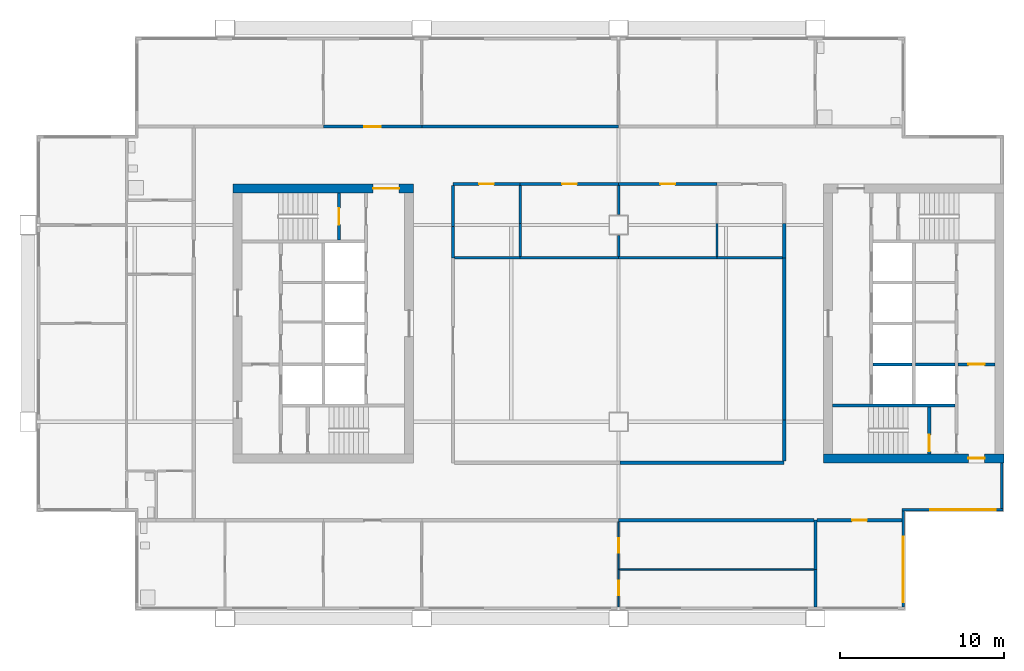
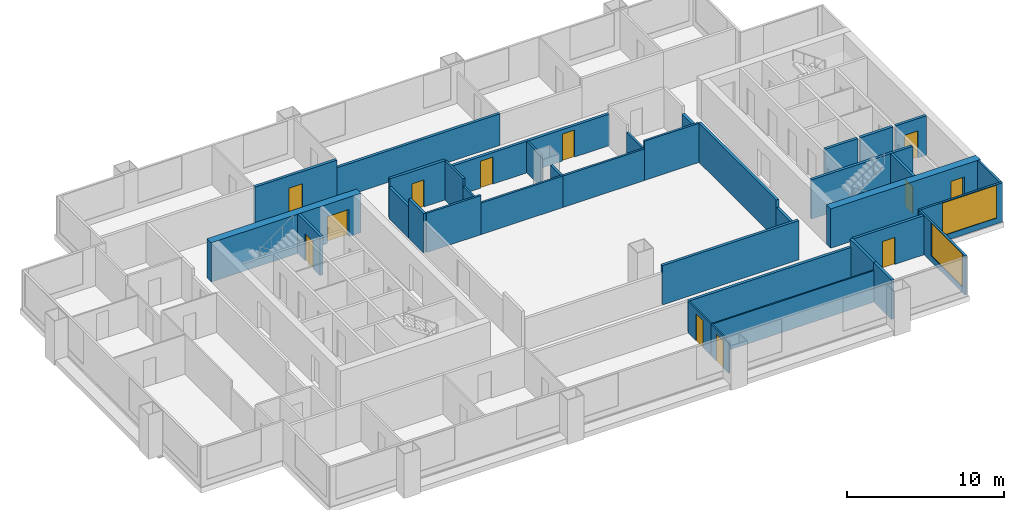
# One storey, part 4 of 8: 38 walls, 12 doors, 2 windows, 14 openings.
"""IFC4 building model written with IfcOpenShell, lengths in metres."""

from ifc_helpers import new_model, si_unit, direction, frame, frame_2d, origin, place, context, subcontext, project, spatial, rectangle, extrude, material, layer, layer_set, type_object, element, fill, save


model = new_model("IFC4")

# Units and contexts
model_context = context("Model", 3, precision=1e-05, world=origin(), true_north=direction((0.0, 1.0)))
body_context = subcontext(model_context, "Body", "Model", "MODEL_VIEW")
ifc_project = project(units=[si_unit("LENGTHUNIT", "METRE"), si_unit("AREAUNIT", "SQUARE_METRE"), si_unit("VOLUMEUNIT", "CUBIC_METRE"), si_unit("PLANEANGLEUNIT", "RADIAN"), si_unit("MASSUNIT", "GRAM", prefix="KILO")], contexts=[model_context])

# Site, building, storey
site_placement = place(None, origin())
site = spatial("IfcSite", under=ifc_project, at=site_placement, CompositionType="ELEMENT")
building_placement = place(site_placement, origin())
building = spatial("IfcBuilding", under=site, at=building_placement, Name="Kitamizu Gate Tower and Museum", CompositionType="ELEMENT")
storey_placement = place(building_placement, frame((0.0, 0.0, 199.64990234375)))
storey = spatial("IfcBuildingStorey", under=building, at=storey_placement, Name="L53", CompositionType="ELEMENT", Elevation=199.64990234375)

# Wall, opening, door
ifc_material_1 = material(Name="Concrete Fc42", Category="concrete")
ifc_layer_1 = layer(ifc_material_1, 0.550048828125)
ifc_layer_set_1 = layer_set([ifc_layer_1], Name="Concrete Fc42")
wall_type_1 = type_object("IfcWallType", Name="Core wall 550", PredefinedType="SHEAR", material=ifc_layer_set_1)
wall_1_placement = place(storey_placement, frame((12.5, 38.22509765625, 0.0), z_axis=(0.0, 0.0, 1.0), x_axis=(1.0, 0.0, 0.0)))
wall_1 = element("IfcWall", 1, at=wall_1_placement, inside=storey, type_object=wall_type_1, Name="Core wall WN", PredefinedType="SHEAR", context=body_context, shape_type="SweptSolid", body=[
    extrude(rectangle(XDim=11.0, YDim=0.550048828125, at=frame_2d((5.5, 0.0))), origin(), (0.0, 0.0, 1.0), 3.050048828125),
])
opening_1_placement = place(wall_1_placement, frame((8.52490234375, 0.0, 0.0)))
opening_1 = element("IfcOpeningElement", 2, at=opening_1_placement, cuts=wall_1, Name="Opening L53-034", PredefinedType="OPENING", context=body_context, shape_type="SweptSolid", body=[
    extrude(rectangle(XDim=1.60009765625, YDim=2.10009765625, at=frame_2d((0.800048828125, 1.050048828125))), frame((0.0, 0.28515625, 0.0), z_axis=(0.0, -1.0, 0.0), x_axis=(1.0, 0.0, 0.0)), (0.0, 0.0, 1.0), 0.570068359375),
])
ifc_material_2 = material(Name="Timber door set", Category="wood")
door_type_1 = type_object("IfcDoorType", Name="Entrance door 1600", OperationType="DOUBLE_DOOR_SINGLE_SWING", PredefinedType="DOOR", material=ifc_material_2)
door_1_placement = place(opening_1_placement, origin())
door_1 = element("IfcDoor", 3, at=door_1_placement, inside=storey, type_object=door_type_1, Name="Lobby door L53-034", OperationType="DOUBLE_DOOR_SINGLE_SWING", OverallHeight=2.10009765625, OverallWidth=1.60009765625, PredefinedType="DOOR", context=body_context, shape_type="SweptSolid", body=[
    extrude(rectangle(XDim=1.60009765625, YDim=2.10009765625, at=frame_2d((0.800048828125, 1.050048828125))), frame((0.0, 0.02490234375, 0.0), z_axis=(0.0, -1.0, 0.0), x_axis=(1.0, 0.0, 0.0)), (0.0, 0.0, 1.0), 0.050048828125),
])
fill(opening_1, door_1)

wall_2_placement = place(storey_placement, frame((59.5, 21.77490234375, 0.0), z_axis=(0.0, 0.0, 1.0), x_axis=(-1.0, 0.0, 0.0)))
wall_2 = element("IfcWall", 4, at=wall_2_placement, inside=storey, type_object=wall_type_1, Name="Core wall ES", PredefinedType="SHEAR", context=body_context, shape_type="SweptSolid", body=[
    extrude(rectangle(XDim=11.0, YDim=0.550048828125, at=frame_2d((5.5, 0.0))), origin(), (0.0, 0.0, 1.0), 3.050048828125),
])
opening_2_placement = place(wall_2_placement, frame((1.175048828125, 0.0, 0.0)))
opening_2 = element("IfcOpeningElement", 5, at=opening_2_placement, cuts=wall_2, Name="Opening L53-044", PredefinedType="OPENING", context=body_context, shape_type="SweptSolid", body=[
    extrude(rectangle(XDim=1.0, YDim=2.10009765625, at=frame_2d((0.5, 1.050048828125))), frame((0.0, 0.28515625, 0.0), z_axis=(0.0, -1.0, 0.0), x_axis=(1.0, 0.0, 0.0)), (0.0, 0.0, 1.0), 0.570068359375),
])
ifc_material_3 = material(Name="Hollow metal door set")
door_type_2 = type_object("IfcDoorType", Name="Fire door 1000", OperationType="NOTDEFINED", PredefinedType="DOOR", material=ifc_material_3)
door_2_placement = place(opening_2_placement, frame((1.0, 0.0, 0.0), x_axis=(-1.0, 0.0, 0.0)))
door_2 = element("IfcDoor", 6, at=door_2_placement, inside=storey, type_object=door_type_2, Name="Fire-fighting lobby door L53-044", OperationType="SINGLE_SWING_RIGHT", OverallHeight=2.10009765625, OverallWidth=1.0, PredefinedType="DOOR", context=body_context, shape_type="SweptSolid", body=[
    extrude(rectangle(XDim=1.0, YDim=2.10009765625, at=frame_2d((0.5, 1.050048828125))), frame((0.0, 0.02490234375, 0.0), z_axis=(0.0, -1.0, 0.0), x_axis=(1.0, 0.0, 0.0)), (0.0, 0.0, 1.0), 0.050048828125),
])
fill(opening_2, door_2)

ifc_material_4 = material(Name="Gypsum board on galvanised stud")
ifc_layer_2 = layer(ifc_material_4, 0.10009765625)
ifc_layer_set_2 = layer_set([ifc_layer_2], Name="Gypsum board on galvanised stud")
wall_type_2 = type_object("IfcWallType", Name="Partition 100 NOT RATED", PredefinedType="PARTITIONING", material=ifc_layer_set_2)
wall_3_placement = place(storey_placement, frame((36.0, 12.719970703125, 0.0), z_axis=(0.0, 0.0, 1.0), x_axis=(0.0, 1.0, 0.0)))
wall_3 = element("IfcWall", 7, at=wall_3_placement, inside=storey, type_object=wall_type_2, Name="Partition L53-009", PredefinedType="PARTITIONING", context=body_context, shape_type="SweptSolid", body=[
    extrude(rectangle(XDim=2.280029296875, YDim=0.10009765625, at=frame_2d((1.14013671875, 0.0))), origin(), (0.0, 0.0, 1.0), 2.4501953125),
])
opening_3_placement = place(wall_3_placement, frame((0.68994140625, 0.0, 0.0)))
opening_3 = element("IfcOpeningElement", 8, at=opening_3_placement, cuts=wall_3, Name="Opening L53-003", PredefinedType="OPENING", context=body_context, shape_type="SweptSolid", body=[
    extrude(rectangle(XDim=0.89990234375, YDim=2.10009765625, at=frame_2d((0.449951171875, 1.050048828125))), frame((0.0, 0.06005859375, 0.0), z_axis=(0.0, -1.0, 0.0), x_axis=(1.0, 0.0, 0.0)), (0.0, 0.0, 1.0), 0.1201171875),
])
ifc_material_5 = material(Name="Timber door set", Category="wood")
door_type_3 = type_object("IfcDoorType", Name="Room door 900", OperationType="NOTDEFINED", PredefinedType="DOOR", material=ifc_material_5)
door_3_placement = place(opening_3_placement, frame((0.89990234375, 0.0, 0.0), x_axis=(-1.0, 0.0, 0.0)))
door_3 = element("IfcDoor", 9, at=door_3_placement, inside=storey, type_object=door_type_3, Name="Door L53-003", OperationType="SINGLE_SWING_LEFT", OverallHeight=2.10009765625, OverallWidth=0.89990234375, PredefinedType="DOOR", context=body_context, shape_type="SweptSolid", body=[
    extrude(rectangle(XDim=0.89990234375, YDim=2.10009765625, at=frame_2d((0.449951171875, 1.050048828125))), frame((0.0, 0.02490234375, 0.0), z_axis=(0.0, -1.0, 0.0), x_axis=(1.0, 0.0, 0.0)), (0.0, 0.0, 1.0), 0.050048828125),
])
fill(opening_3, door_3)

wall_4_placement = place(storey_placement, frame((36.0, 15.0, 0.0), z_axis=(0.0, 0.0, 1.0), x_axis=(0.0, 1.0, 0.0)))
wall_4 = element("IfcWall", 10, at=wall_4_placement, inside=storey, type_object=wall_type_2, Name="Partition L53-010", PredefinedType="PARTITIONING", context=body_context, shape_type="SweptSolid", body=[
    extrude(rectangle(XDim=2.89990234375, YDim=0.10009765625, at=frame_2d((1.449951171875, 0.0))), origin(), (0.0, 0.0, 1.0), 2.4501953125),
])
opening_4_placement = place(wall_4_placement, frame((1.0, 0.0, 0.0)))
opening_4 = element("IfcOpeningElement", 11, at=opening_4_placement, cuts=wall_4, Name="Opening L53-004", PredefinedType="OPENING", context=body_context, shape_type="SweptSolid", body=[
    extrude(rectangle(XDim=0.89990234375, YDim=2.10009765625, at=frame_2d((0.449951171875, 1.050048828125))), frame((0.0, 0.06005859375, 0.0), z_axis=(0.0, -1.0, 0.0), x_axis=(1.0, 0.0, 0.0)), (0.0, 0.0, 1.0), 0.1201171875),
])
door_4_placement = place(opening_4_placement, frame((0.89990234375, 0.0, 0.0), x_axis=(-1.0, 0.0, 0.0)))
door_4 = element("IfcDoor", 12, at=door_4_placement, inside=storey, type_object=door_type_3, Name="Door L53-004", OperationType="SINGLE_SWING_RIGHT", OverallHeight=2.10009765625, OverallWidth=0.89990234375, PredefinedType="DOOR", context=body_context, shape_type="SweptSolid", body=[
    extrude(rectangle(XDim=0.89990234375, YDim=2.10009765625, at=frame_2d((0.449951171875, 1.050048828125))), frame((0.0, 0.02490234375, 0.0), z_axis=(0.0, -1.0, 0.0), x_axis=(1.0, 0.0, 0.0)), (0.0, 0.0, 1.0), 0.050048828125),
])
fill(opening_4, door_4)

# Walls
wall_5_placement = place(storey_placement, frame((47.89990234375, 15.0, 0.0), z_axis=(0.0, 0.0, 1.0), x_axis=(-1.0, 0.0, 0.0)))
element("IfcWall", 13, at=wall_5_placement, inside=storey, type_object=wall_type_2, Name="Partition L53-012", PredefinedType="PARTITIONING", context=body_context, shape_type="SweptSolid", body=[
    extrude(rectangle(XDim=11.849853515625, YDim=0.10009765625, at=frame_2d((5.9248046875, 0.0))), origin(), (0.0, 0.0, 1.0), 2.4501953125),
])
ifc_material_6 = material(Name="Gypsum board on galvanised stud")
ifc_layer_3 = layer(ifc_material_6, 0.14990234375)
ifc_layer_set_3 = layer_set([ifc_layer_3], Name="Gypsum board on galvanised stud")
wall_type_3 = type_object("IfcWallType", Name="Partition 150", PredefinedType="PARTITIONING", material=ifc_layer_set_3)
wall_6_placement = place(storey_placement, frame((30.0, 34.0, 0.0), z_axis=(0.0, 0.0, 1.0), x_axis=(-1.0, 0.0, 0.0)))
element("IfcWall", 14, at=wall_6_placement, inside=storey, type_object=wall_type_3, Name="Partition L53-063", PredefinedType="PARTITIONING", context=body_context, shape_type="SweptSolid", body=[
    extrude(rectangle(XDim=4.0, YDim=0.14990234375, at=frame_2d((2.0, 0.0))), origin(), (0.0, 0.0, 1.0), 3.050048828125),
])
for number, where, z_axis, x_axis, name in (
    (15, (36.0, 34.0, 0.0), (0.0, 0.0, 1.0), (-1.0, 0.0, 0.0), "Partition L53-064"),
    (16, (42.0, 34.0, 0.0), (0.0, 0.0, 1.0), (-1.0, 0.0, 0.0), "Partition L53-065"),
):
    element("IfcWall", number, at=place(storey_placement, frame(where, z_axis=z_axis, x_axis=x_axis)), inside=storey, type_object=wall_type_3, Name=name, PredefinedType="PARTITIONING", context=body_context, shape_type="SweptSolid", body=[
        extrude(rectangle(XDim=6.0, YDim=0.14990234375, at=frame_2d((3.0, 0.0))), origin(), (0.0, 0.0, 1.0), 2.4501953125),
    ])
wall_7_placement = place(storey_placement, frame((46.0, 34.0, 0.0), z_axis=(0.0, 0.0, 1.0), x_axis=(-1.0, 0.0, 0.0)))
element("IfcWall", 17, at=wall_7_placement, inside=storey, type_object=wall_type_3, Name="Partition L53-066", PredefinedType="PARTITIONING", context=body_context, shape_type="SweptSolid", body=[
    extrude(rectangle(XDim=4.0, YDim=0.14990234375, at=frame_2d((2.0, 0.0))), origin(), (0.0, 0.0, 1.0), 3.050048828125),
])
wall_8_placement = place(storey_placement, frame((30.0, 34.074951171875, 0.0), z_axis=(0.0, 0.0, 1.0), x_axis=(0.0, 1.0, 0.0)))
element("IfcWall", 18, at=wall_8_placement, inside=storey, type_object=wall_type_3, Name="Partition L53-067", PredefinedType="PARTITIONING", context=body_context, shape_type="SweptSolid", body=[
    extrude(rectangle(XDim=2.025146484375, YDim=0.14990234375, at=frame_2d((1.0126953125, 0.0))), origin(), (0.0, 0.0, 1.0), 2.4501953125),
])
wall_9_placement = place(storey_placement, frame((30.0, 36.10009765625, 0.0), z_axis=(0.0, 0.0, 1.0), x_axis=(0.0, 1.0, 0.0)))
element("IfcWall", 19, at=wall_9_placement, inside=storey, type_object=wall_type_3, Name="Partition L53-068", PredefinedType="PARTITIONING", context=body_context, shape_type="SweptSolid", body=[
    extrude(rectangle(XDim=2.2998046875, YDim=0.14990234375, at=frame_2d((1.14990234375, 0.0))), origin(), (0.0, 0.0, 1.0), 3.050048828125),
])
wall_10_placement = place(storey_placement, frame((36.0, 34.074951171875, 0.0), z_axis=(0.0, 0.0, 1.0), x_axis=(0.0, 1.0, 0.0)))
element("IfcWall", 20, at=wall_10_placement, inside=storey, type_object=wall_type_3, Name="Partition L53-069", PredefinedType="PARTITIONING", context=body_context, shape_type="SweptSolid", body=[
    extrude(rectangle(XDim=1.275146484375, YDim=0.14990234375, at=frame_2d((0.6376953125, 0.0))), origin(), (0.0, 0.0, 1.0), 2.4501953125),
])
wall_11_placement = place(storey_placement, frame((36.0, 36.64990234375, 0.0), z_axis=(0.0, 0.0, 1.0), x_axis=(0.0, 1.0, 0.0)))
element("IfcWall", 21, at=wall_11_placement, inside=storey, type_object=wall_type_3, Name="Partition L53-070", PredefinedType="PARTITIONING", context=body_context, shape_type="SweptSolid", body=[
    extrude(rectangle(XDim=1.75, YDim=0.14990234375, at=frame_2d((0.875, 0.0))), origin(), (0.0, 0.0, 1.0), 2.4501953125),
])
wall_12_placement = place(storey_placement, frame((42.0, 34.074951171875, 0.0), z_axis=(0.0, 0.0, 1.0), x_axis=(0.0, 1.0, 0.0)))
element("IfcWall", 22, at=wall_12_placement, inside=storey, type_object=wall_type_3, Name="Partition L53-071", PredefinedType="PARTITIONING", context=body_context, shape_type="SweptSolid", body=[
    extrude(rectangle(XDim=2.025146484375, YDim=0.14990234375, at=frame_2d((1.0126953125, 0.0))), origin(), (0.0, 0.0, 1.0), 2.4501953125),
])
ifc_material_7 = material(Name="Gypsum board on galvanised stud")
ifc_layer_4 = layer(ifc_material_7, 0.199951171875)
ifc_layer_set_4 = layer_set([ifc_layer_4], Name="Gypsum board on galvanised stud")
wall_type_4 = type_object("IfcWallType", Name="Partition 200", PredefinedType="PARTITIONING", material=ifc_layer_set_4)
wall_13_placement = place(storey_placement, frame((48.0, 12.719970703125, 0.0), z_axis=(0.0, 0.0, 1.0), x_axis=(0.0, 1.0, 0.0)))
element("IfcWall", 23, at=wall_13_placement, inside=storey, type_object=wall_type_4, Name="Partition L53-013", PredefinedType="PARTITIONING", context=body_context, shape_type="SweptSolid", body=[
    extrude(rectangle(XDim=2.280029296875, YDim=0.199951171875, at=frame_2d((1.14013671875, 0.0))), origin(), (0.0, 0.0, 1.0), 3.050048828125),
])
wall_14_placement = place(storey_placement, frame((48.0, 15.0, 0.0), z_axis=(0.0, 0.0, 1.0), x_axis=(0.0, 1.0, 0.0)))
element("IfcWall", 24, at=wall_14_placement, inside=storey, type_object=wall_type_4, Name="Partition L53-014", PredefinedType="PARTITIONING", context=body_context, shape_type="SweptSolid", body=[
    extrude(rectangle(XDim=3.0, YDim=0.199951171875, at=frame_2d((1.5, 0.0))), origin(), (0.0, 0.0, 1.0), 3.050048828125),
])
wall_15_placement = place(storey_placement, frame((47.89990234375, 18.0, 0.0), z_axis=(0.0, 0.0, 1.0), x_axis=(-1.0, 0.0, 0.0)))
element("IfcWall", 25, at=wall_15_placement, inside=storey, type_object=wall_type_4, Name="Partition L53-015", PredefinedType="PARTITIONING", context=body_context, shape_type="SweptSolid", body=[
    extrude(rectangle(XDim=11.89990234375, YDim=0.199951171875, at=frame_2d((5.949951171875, 0.0))), origin(), (0.0, 0.0, 1.0), 2.4501953125),
])

# Wall, opening, door
wall_16_placement = place(storey_placement, frame((53.280029296875, 18.0, 0.0), z_axis=(0.0, 0.0, 1.0), x_axis=(-1.0, 0.0, 0.0)))
wall_16 = element("IfcWall", 26, at=wall_16_placement, inside=storey, type_object=wall_type_4, Name="Partition L53-016", PredefinedType="PARTITIONING", context=body_context, shape_type="SweptSolid", body=[
    extrude(rectangle(XDim=5.179931640625, YDim=0.199951171875, at=frame_2d((2.58984375, 0.0))), origin(), (0.0, 0.0, 1.0), 3.050048828125),
])
opening_5_placement = place(wall_16_placement, frame((2.139892578125, 0.0, 0.0)))
opening_5 = element("IfcOpeningElement", 27, at=opening_5_placement, cuts=wall_16, Name="Opening L53-021", PredefinedType="OPENING", context=body_context, shape_type="SweptSolid", body=[
    extrude(rectangle(XDim=0.89990234375, YDim=2.10009765625, at=frame_2d((0.449951171875, 1.050048828125))), frame((0.0, 0.10986328125, 0.0), z_axis=(0.0, -1.0, 0.0), x_axis=(1.0, 0.0, 0.0)), (0.0, 0.0, 1.0), 0.219970703125),
])
door_5_placement = place(opening_5_placement, origin())
door_5 = element("IfcDoor", 28, at=door_5_placement, inside=storey, type_object=door_type_3, Name="Door L53-021", OperationType="SINGLE_SWING_RIGHT", OverallHeight=2.10009765625, OverallWidth=0.89990234375, PredefinedType="DOOR", context=body_context, shape_type="SweptSolid", body=[
    extrude(rectangle(XDim=0.89990234375, YDim=2.10009765625, at=frame_2d((0.449951171875, 1.050048828125))), frame((0.0, 0.02490234375, 0.0), z_axis=(0.0, -1.0, 0.0), x_axis=(1.0, 0.0, 0.0)), (0.0, 0.0, 1.0), 0.050048828125),
])
fill(opening_5, door_5)

wall_17_placement = place(storey_placement, frame((18.0, 42.0, 0.0), z_axis=(0.0, 0.0, 1.0), x_axis=(1.0, 0.0, 0.0)))
wall_17 = element("IfcWall", 29, at=wall_17_placement, inside=storey, type_object=wall_type_4, Name="Partition L53-021", PredefinedType="PARTITIONING", context=body_context, shape_type="SweptSolid", body=[
    extrude(rectangle(XDim=6.0, YDim=0.199951171875, at=frame_2d((3.0, 0.0))), origin(), (0.0, 0.0, 1.0), 3.050048828125),
])
opening_6_placement = place(wall_17_placement, frame((2.5, 0.0, 0.0)))
opening_6 = element("IfcOpeningElement", 30, at=opening_6_placement, cuts=wall_17, Name="Opening L53-007", PredefinedType="OPENING", context=body_context, shape_type="SweptSolid", body=[
    extrude(rectangle(XDim=1.0, YDim=2.10009765625, at=frame_2d((0.5, 1.050048828125))), frame((0.0, 0.10986328125, 0.0), z_axis=(0.0, -1.0, 0.0), x_axis=(1.0, 0.0, 0.0)), (0.0, 0.0, 1.0), 0.219970703125),
])
ifc_material_8 = material(Name="Timber door set", Category="wood")
door_type_4 = type_object("IfcDoorType", Name="Flat entrance door 1000", OperationType="NOTDEFINED", PredefinedType="DOOR", material=ifc_material_8)
door_6_placement = place(opening_6_placement, origin())
door_6 = element("IfcDoor", 31, at=door_6_placement, inside=storey, type_object=door_type_4, Name="Flat entrance door L53-007", OperationType="SINGLE_SWING_RIGHT", OverallHeight=2.10009765625, OverallWidth=1.0, PredefinedType="DOOR", context=body_context, shape_type="SweptSolid", body=[
    extrude(rectangle(XDim=1.0, YDim=2.10009765625, at=frame_2d((0.5, 1.050048828125))), frame((0.0, 0.02490234375, 0.0), z_axis=(0.0, -1.0, 0.0), x_axis=(1.0, 0.0, 0.0)), (0.0, 0.0, 1.0), 0.050048828125),
])
fill(opening_6, door_6)

# Walls
wall_18_placement = place(storey_placement, frame((24.0, 42.0, 0.0), z_axis=(0.0, 0.0, 1.0), x_axis=(1.0, 0.0, 0.0)))
element("IfcWall", 32, at=wall_18_placement, inside=storey, type_object=wall_type_4, Name="Partition L53-023", PredefinedType="PARTITIONING", context=body_context, shape_type="SweptSolid", body=[
    extrude(rectangle(XDim=12.0, YDim=0.199951171875, at=frame_2d((6.0, 0.0))), origin(), (0.0, 0.0, 1.0), 2.4501953125),
])
wall_19_placement = place(storey_placement, frame((36.10009765625, 21.5, 0.0), z_axis=(0.0, 0.0, 1.0), x_axis=(1.0, 0.0, 0.0)))
element("IfcWall", 33, at=wall_19_placement, inside=storey, type_object=wall_type_4, Name="Partition L53-052", PredefinedType="PARTITIONING", context=body_context, shape_type="SweptSolid", body=[
    extrude(rectangle(XDim=10.0, YDim=0.199951171875, at=frame_2d((5.0, 0.0))), origin(), (0.0, 0.0, 1.0), 3.050048828125),
])
wall_20_placement = place(storey_placement, frame((46.10009765625, 21.60009765625, 0.0), z_axis=(0.0, 0.0, 1.0), x_axis=(0.0, 1.0, 0.0)))
element("IfcWall", 34, at=wall_20_placement, inside=storey, type_object=wall_type_4, Name="Partition L53-053", PredefinedType="PARTITIONING", context=body_context, shape_type="SweptSolid", body=[
    extrude(rectangle(XDim=2.5, YDim=0.199951171875, at=frame_2d((1.25, 0.0))), origin(), (0.0, 0.0, 1.0), 2.4501953125),
])
wall_21_placement = place(storey_placement, frame((46.10009765625, 24.10009765625, 0.0), z_axis=(0.0, 0.0, 1.0), x_axis=(0.0, 1.0, 0.0)))
element("IfcWall", 35, at=wall_21_placement, inside=storey, type_object=wall_type_4, Name="Partition L53-054", PredefinedType="PARTITIONING", context=body_context, shape_type="SweptSolid", body=[
    extrude(rectangle(XDim=9.89990234375, YDim=0.199951171875, at=frame_2d((4.949951171875, 0.0))), origin(), (0.0, 0.0, 1.0), 3.050048828125),
])

# Wall, opening, door
wall_22_placement = place(storey_placement, frame((30.0, 38.5, 0.0), z_axis=(0.0, 0.0, 1.0), x_axis=(-1.0, 0.0, 0.0)))
wall_22 = element("IfcWall", 36, at=wall_22_placement, inside=storey, type_object=wall_type_4, Name="Partition L53-055", PredefinedType="PARTITIONING", context=body_context, shape_type="SweptSolid", body=[
    extrude(rectangle(XDim=4.10009765625, YDim=0.199951171875, at=frame_2d((2.050048828125, 0.0))), origin(), (0.0, 0.0, 1.0), 3.050048828125),
])
opening_7_placement = place(wall_22_placement, frame((1.60009765625, 0.0, 0.0)))
opening_7 = element("IfcOpeningElement", 37, at=opening_7_placement, cuts=wall_22, Name="Opening L53-023", PredefinedType="OPENING", context=body_context, shape_type="SweptSolid", body=[
    extrude(rectangle(XDim=0.89990234375, YDim=2.10009765625, at=frame_2d((0.449951171875, 1.050048828125))), frame((0.0, 0.10986328125, 0.0), z_axis=(0.0, -1.0, 0.0), x_axis=(1.0, 0.0, 0.0)), (0.0, 0.0, 1.0), 0.219970703125),
])
door_7_placement = place(opening_7_placement, origin())
door_7 = element("IfcDoor", 38, at=door_7_placement, inside=storey, type_object=door_type_3, Name="Door L53-023", OperationType="SINGLE_SWING_LEFT", OverallHeight=2.10009765625, OverallWidth=0.89990234375, PredefinedType="DOOR", context=body_context, shape_type="SweptSolid", body=[
    extrude(rectangle(XDim=0.89990234375, YDim=2.10009765625, at=frame_2d((0.449951171875, 1.050048828125))), frame((0.0, 0.02490234375, 0.0), z_axis=(0.0, -1.0, 0.0), x_axis=(1.0, 0.0, 0.0)), (0.0, 0.0, 1.0), 0.050048828125),
])
fill(opening_7, door_7)

# Walls
wall_23_placement = place(storey_placement, frame((25.89990234375, 38.39990234375, 0.0), z_axis=(0.0, 0.0, 1.0), x_axis=(0.0, -1.0, 0.0)))
element("IfcWall", 39, at=wall_23_placement, inside=storey, type_object=wall_type_4, Name="Partition L53-056", PredefinedType="PARTITIONING", context=body_context, shape_type="SweptSolid", body=[
    extrude(rectangle(XDim=2.5, YDim=0.199951171875, at=frame_2d((1.25, 0.0))), origin(), (0.0, 0.0, 1.0), 2.4501953125),
])
wall_24_placement = place(storey_placement, frame((25.89990234375, 35.89990234375, 0.0), z_axis=(0.0, 0.0, 1.0), x_axis=(0.0, -1.0, 0.0)))
element("IfcWall", 40, at=wall_24_placement, inside=storey, type_object=wall_type_4, Name="Partition L53-057", PredefinedType="PARTITIONING", context=body_context, shape_type="SweptSolid", body=[
    extrude(rectangle(XDim=1.89990234375, YDim=0.199951171875, at=frame_2d((0.949951171875, 0.0))), origin(), (0.0, 0.0, 1.0), 3.050048828125),
])

# Wall, opening, door
wall_25_placement = place(storey_placement, frame((36.0, 38.5, 0.0), z_axis=(0.0, 0.0, 1.0), x_axis=(-1.0, 0.0, 0.0)))
wall_25 = element("IfcWall", 41, at=wall_25_placement, inside=storey, type_object=wall_type_4, Name="Partition L53-058", PredefinedType="PARTITIONING", context=body_context, shape_type="SweptSolid", body=[
    extrude(rectangle(XDim=6.0, YDim=0.199951171875, at=frame_2d((3.0, 0.0))), origin(), (0.0, 0.0, 1.0), 2.4501953125),
])
opening_8_placement = place(wall_25_placement, frame((2.550048828125, 0.0, 0.0)))
opening_8 = element("IfcOpeningElement", 42, at=opening_8_placement, cuts=wall_25, Name="Opening L53-024", PredefinedType="OPENING", context=body_context, shape_type="SweptSolid", body=[
    extrude(rectangle(XDim=0.89990234375, YDim=2.10009765625, at=frame_2d((0.449951171875, 1.050048828125))), frame((0.0, 0.10986328125, 0.0), z_axis=(0.0, -1.0, 0.0), x_axis=(1.0, 0.0, 0.0)), (0.0, 0.0, 1.0), 0.219970703125),
])
door_8_placement = place(opening_8_placement, origin())
door_8 = element("IfcDoor", 43, at=door_8_placement, inside=storey, type_object=door_type_3, Name="Door L53-024", OperationType="SINGLE_SWING_RIGHT", OverallHeight=2.10009765625, OverallWidth=0.89990234375, PredefinedType="DOOR", context=body_context, shape_type="SweptSolid", body=[
    extrude(rectangle(XDim=0.89990234375, YDim=2.10009765625, at=frame_2d((0.449951171875, 1.050048828125))), frame((0.0, 0.02490234375, 0.0), z_axis=(0.0, -1.0, 0.0), x_axis=(1.0, 0.0, 0.0)), (0.0, 0.0, 1.0), 0.050048828125),
])
fill(opening_8, door_8)

wall_26_placement = place(storey_placement, frame((42.0, 38.5, 0.0), z_axis=(0.0, 0.0, 1.0), x_axis=(-1.0, 0.0, 0.0)))
wall_26 = element("IfcWall", 44, at=wall_26_placement, inside=storey, type_object=wall_type_4, Name="Partition L53-059", PredefinedType="PARTITIONING", context=body_context, shape_type="SweptSolid", body=[
    extrude(rectangle(XDim=6.0, YDim=0.199951171875, at=frame_2d((3.0, 0.0))), origin(), (0.0, 0.0, 1.0), 2.4501953125),
])
opening_9_placement = place(wall_26_placement, frame((2.550048828125, 0.0, 0.0)))
opening_9 = element("IfcOpeningElement", 45, at=opening_9_placement, cuts=wall_26, Name="Opening L53-025", PredefinedType="OPENING", context=body_context, shape_type="SweptSolid", body=[
    extrude(rectangle(XDim=0.89990234375, YDim=2.10009765625, at=frame_2d((0.449951171875, 1.050048828125))), frame((0.0, 0.10986328125, 0.0), z_axis=(0.0, -1.0, 0.0), x_axis=(1.0, 0.0, 0.0)), (0.0, 0.0, 1.0), 0.219970703125),
])
door_9_placement = place(opening_9_placement, origin())
door_9 = element("IfcDoor", 46, at=door_9_placement, inside=storey, type_object=door_type_3, Name="Door L53-025", OperationType="SINGLE_SWING_LEFT", OverallHeight=2.10009765625, OverallWidth=0.89990234375, PredefinedType="DOOR", context=body_context, shape_type="SweptSolid", body=[
    extrude(rectangle(XDim=0.89990234375, YDim=2.10009765625, at=frame_2d((0.449951171875, 1.050048828125))), frame((0.0, 0.02490234375, 0.0), z_axis=(0.0, -1.0, 0.0), x_axis=(1.0, 0.0, 0.0)), (0.0, 0.0, 1.0), 0.050048828125),
])
fill(opening_9, door_9)

# Wall
wall_27_placement = place(storey_placement, frame((46.10009765625, 34.0, 0.0), z_axis=(0.0, 0.0, 1.0), x_axis=(0.0, 1.0, 0.0)))
element("IfcWall", 47, at=wall_27_placement, inside=storey, type_object=wall_type_4, Name="Partition L53-060", PredefinedType="PARTITIONING", context=body_context, shape_type="SweptSolid", body=[
    extrude(rectangle(XDim=2.10009765625, YDim=0.199951171875, at=frame_2d((1.050048828125, 0.0))), origin(), (0.0, 0.0, 1.0), 2.4501953125),
])

# Wall, opening, door
ifc_material_9 = material(Name="Concrete Fc42", Category="concrete")
ifc_layer_5 = layer(ifc_material_9, 0.199951171875)
ifc_layer_set_5 = layer_set([ifc_layer_5], Name="Concrete Fc42")
wall_type_5 = type_object("IfcWallType", Name="Shaft wall 200", PredefinedType="SOLIDWALL", material=ifc_layer_set_5)
wall_28_placement = place(storey_placement, frame((18.949951171875, 35.10009765625, 0.0), z_axis=(0.0, 0.0, 1.0), x_axis=(0.0, 1.0, 0.0)))
wall_28 = element("IfcWall", 48, at=wall_28_placement, inside=storey, type_object=wall_type_5, Name="Shaft wall WNZ", PredefinedType="SOLIDWALL", context=body_context, shape_type="SweptSolid", body=[
    extrude(rectangle(XDim=2.849853515625, YDim=0.199951171875, at=frame_2d((1.4248046875, 0.0))), origin(), (0.0, 0.0, 1.0), 3.050048828125),
])
opening_10_placement = place(wall_28_placement, frame((0.925048828125, 0.0, 0.0)))
opening_10 = element("IfcOpeningElement", 49, at=opening_10_placement, cuts=wall_28, Name="Opening L53-030", PredefinedType="OPENING", context=body_context, shape_type="SweptSolid", body=[
    extrude(rectangle(XDim=1.0, YDim=2.10009765625, at=frame_2d((0.5, 1.050048828125))), frame((0.0, 0.10986328125, 0.0), z_axis=(0.0, -1.0, 0.0), x_axis=(1.0, 0.0, 0.0)), (0.0, 0.0, 1.0), 0.219970703125),
])
door_10_placement = place(opening_10_placement, origin())
door_10 = element("IfcDoor", 50, at=door_10_placement, inside=storey, type_object=door_type_2, Name="Stair door L53-030", OperationType="SINGLE_SWING_RIGHT", OverallHeight=2.10009765625, OverallWidth=1.0, PredefinedType="DOOR", context=body_context, shape_type="SweptSolid", body=[
    extrude(rectangle(XDim=1.0, YDim=2.10009765625, at=frame_2d((0.5, 1.050048828125))), frame((0.0, 0.02490234375, 0.0), z_axis=(0.0, -1.0, 0.0), x_axis=(1.0, 0.0, 0.0)), (0.0, 0.0, 1.0), 0.050048828125),
])
fill(opening_10, door_10)

# Wall
wall_29_placement = place(storey_placement, frame((56.5, 25.0, 0.0), z_axis=(0.0, 0.0, 1.0), x_axis=(-1.0, 0.0, 0.0)))
element("IfcWall", 51, at=wall_29_placement, inside=storey, type_object=wall_type_5, Name="Shaft wall ESB", PredefinedType="SOLIDWALL", context=body_context, shape_type="SweptSolid", body=[
    extrude(rectangle(XDim=7.449951171875, YDim=0.199951171875, at=frame_2d((3.72509765625, 0.0))), origin(), (0.0, 0.0, 1.0), 3.050048828125),
])

# Wall, opening, door
wall_30_placement = place(storey_placement, frame((58.949951171875, 27.5, 0.0), z_axis=(0.0, 0.0, 1.0), x_axis=(-1.0, 0.0, 0.0)))
wall_30 = element("IfcWall", 52, at=wall_30_placement, inside=storey, type_object=wall_type_5, Name="Shaft wall EFFN", PredefinedType="SOLIDWALL", context=body_context, shape_type="SweptSolid", body=[
    extrude(rectangle(XDim=2.25, YDim=0.199951171875, at=frame_2d((1.125, 0.0))), origin(), (0.0, 0.0, 1.0), 3.050048828125),
])
opening_11_placement = place(wall_30_placement, frame((0.625, 0.0, 0.0)))
opening_11 = element("IfcOpeningElement", 53, at=opening_11_placement, cuts=wall_30, Name="Opening L53-043", PredefinedType="OPENING", context=body_context, shape_type="SweptSolid", body=[
    extrude(rectangle(XDim=1.0, YDim=2.10009765625, at=frame_2d((0.5, 1.050048828125))), frame((0.0, 0.10986328125, 0.0), z_axis=(0.0, -1.0, 0.0), x_axis=(1.0, 0.0, 0.0)), (0.0, 0.0, 1.0), 0.219970703125),
])
door_11_placement = place(opening_11_placement, origin())
door_11 = element("IfcDoor", 54, at=door_11_placement, inside=storey, type_object=door_type_2, Name="Fire-fighting lobby door L53-043", OperationType="SINGLE_SWING_RIGHT", OverallHeight=2.10009765625, OverallWidth=1.0, PredefinedType="DOOR", context=body_context, shape_type="SweptSolid", body=[
    extrude(rectangle(XDim=1.0, YDim=2.10009765625, at=frame_2d((0.5, 1.050048828125))), frame((0.0, 0.02490234375, 0.0), z_axis=(0.0, -1.0, 0.0), x_axis=(1.0, 0.0, 0.0)), (0.0, 0.0, 1.0), 0.050048828125),
])
fill(opening_11, door_11)

wall_31_placement = place(storey_placement, frame((54.949951171875, 22.050048828125, 0.0), z_axis=(0.0, 0.0, 1.0), x_axis=(0.0, 1.0, 0.0)))
wall_31 = element("IfcWall", 55, at=wall_31_placement, inside=storey, type_object=wall_type_5, Name="Shaft wall ESZ", PredefinedType="SOLIDWALL", context=body_context, shape_type="SweptSolid", body=[
    extrude(rectangle(XDim=2.849853515625, YDim=0.199951171875, at=frame_2d((1.4248046875, 0.0))), origin(), (0.0, 0.0, 1.0), 3.050048828125),
])
opening_12_placement = place(wall_31_placement, frame((0.14990234375, 0.0, 0.0)))
opening_12 = element("IfcOpeningElement", 56, at=opening_12_placement, cuts=wall_31, Name="Opening L53-039", PredefinedType="OPENING", context=body_context, shape_type="SweptSolid", body=[
    extrude(rectangle(XDim=1.0, YDim=2.10009765625, at=frame_2d((0.5, 1.050048828125))), frame((0.0, 0.10986328125, 0.0), z_axis=(0.0, -1.0, 0.0), x_axis=(1.0, 0.0, 0.0)), (0.0, 0.0, 1.0), 0.219970703125),
])
door_12_placement = place(opening_12_placement, origin())
door_12 = element("IfcDoor", 57, at=door_12_placement, inside=storey, type_object=door_type_2, Name="Stair door L53-039", OperationType="SINGLE_SWING_RIGHT", OverallHeight=2.10009765625, OverallWidth=1.0, PredefinedType="DOOR", context=body_context, shape_type="SweptSolid", body=[
    extrude(rectangle(XDim=1.0, YDim=2.10009765625, at=frame_2d((0.5, 1.050048828125))), frame((0.0, 0.02490234375, 0.0), z_axis=(0.0, -1.0, 0.0), x_axis=(1.0, 0.0, 0.0)), (0.0, 0.0, 1.0), 0.050048828125),
])
fill(opening_12, door_12)

# Walls
for number, where, z_axis, x_axis, name in (
    (58, (56.5, 27.5, 0.0), (0.0, 0.0, 1.0), (-1.0, 0.0, 0.0), "Shaft wall EDVW0"),
    (59, (53.89990234375, 27.5, 0.0), (0.0, 0.0, 1.0), (-1.0, 0.0, 0.0), "Shaft wall EDVE0"),
):
    element("IfcWall", number, at=place(storey_placement, frame(where, z_axis=z_axis, x_axis=x_axis)), inside=storey, type_object=wall_type_5, Name=name, PredefinedType="SOLIDWALL", context=body_context, shape_type="SweptSolid", body=[
        extrude(rectangle(XDim=2.39990234375, YDim=0.199951171875, at=frame_2d((1.199951171875, 0.0))), origin(), (0.0, 0.0, 1.0), 3.050048828125),
    ])

# Wall, opening, window
ifc_material_10 = material(Name="Bronze anodised aluminium frame with insulated spandrel and tinted glass", Category="aluminium")
ifc_layer_6 = layer(ifc_material_10, 0.14990234375)
ifc_layer_set_6 = layer_set([ifc_layer_6], Name="Bronze anodised aluminium frame with insulated spandrel and tinted glass")
wall_type_6 = type_object("IfcWallType", Name="WINDOW WALL 150 BRONZE FRAME EI 30", PredefinedType="ELEMENTEDWALL", material=ifc_layer_set_6)
wall_32_placement = place(storey_placement, frame((53.364990234375, 12.7099609375, 0.0), z_axis=(0.0, 0.0, 1.0), x_axis=(0.0, 1.0, 0.0)))
wall_32 = element("IfcWall", 60, at=wall_32_placement, inside=storey, type_object=wall_type_6, Name="Window wall east L53", PredefinedType="ELEMENTEDWALL", context=body_context, shape_type="SweptSolid", body=[
    extrude(rectangle(XDim=5.85009765625, YDim=0.14990234375, at=frame_2d((2.925048828125, 0.0))), origin(), (0.0, 0.0, 1.0), 3.050048828125),
])
opening_13_placement = place(wall_32_placement, frame((0.2900390625, 0.0, 0.449951171875)))
opening_13 = element("IfcOpeningElement", 61, at=opening_13_placement, cuts=wall_32, Name="Opening W16", PredefinedType="OPENING", context=body_context, shape_type="SweptSolid", body=[
    extrude(rectangle(XDim=4.0, YDim=2.550048828125, at=frame_2d((2.0, 1.27490234375))), frame((0.0, 0.0849609375, 0.0), z_axis=(0.0, -1.0, 0.0), x_axis=(1.0, 0.0, 0.0)), (0.0, 0.0, 1.0), 0.169921875),
])
ifc_material_11 = material(Name="Bronze anodised aluminium frame, tinted triple glazing", Category="aluminium")
window_type = type_object("IfcWindowType", Name="WINDOW 4000 x 2550 SILL 450", PartitioningType="SINGLE_PANEL", PredefinedType="WINDOW", material=ifc_material_11)
window_1_placement = place(opening_13_placement, origin())
window_1 = element("IfcWindow", 62, at=window_1_placement, inside=storey, type_object=window_type, Name="Window W16 L53", OverallHeight=2.550048828125, OverallWidth=4.0, PartitioningType="SINGLE_PANEL", PredefinedType="WINDOW", context=body_context, shape_type="SweptSolid", body=[
    extrude(rectangle(XDim=4.0, YDim=2.550048828125, at=frame_2d((2.0, 1.27490234375))), frame((0.0, 0.030029296875, 0.0), z_axis=(0.0, -1.0, 0.0), x_axis=(1.0, 0.0, 0.0)), (0.0, 0.0, 1.0), 0.06005859375),
])
fill(opening_13, window_1)

wall_33_placement = place(storey_placement, frame((53.2900390625, 18.635009765625, 0.0), z_axis=(0.0, 0.0, 1.0), x_axis=(1.0, 0.0, 0.0)))
wall_33 = element("IfcWall", 63, at=wall_33_placement, inside=storey, type_object=wall_type_6, Name="Window wall south L53", PredefinedType="ELEMENTEDWALL", context=body_context, shape_type="SweptSolid", body=[
    extrude(rectangle(XDim=6.14990234375, YDim=0.14990234375, at=frame_2d((3.074951171875, 0.0))), origin(), (0.0, 0.0, 1.0), 3.050048828125),
])
opening_14_placement = place(wall_33_placement, frame((1.7099609375, 0.0, 0.449951171875)))
opening_14 = element("IfcOpeningElement", 64, at=opening_14_placement, cuts=wall_33, Name="Opening W16", PredefinedType="OPENING", context=body_context, shape_type="SweptSolid", body=[
    extrude(rectangle(XDim=4.0, YDim=2.550048828125, at=frame_2d((2.0, 1.27490234375))), frame((0.0, 0.0849609375, 0.0), z_axis=(0.0, -1.0, 0.0), x_axis=(1.0, 0.0, 0.0)), (0.0, 0.0, 1.0), 0.169921875),
])
window_2_placement = place(opening_14_placement, origin())
window_2 = element("IfcWindow", 65, at=window_2_placement, inside=storey, type_object=window_type, Name="Window W16 L53", OverallHeight=2.550048828125, OverallWidth=4.0, PartitioningType="SINGLE_PANEL", PredefinedType="WINDOW", context=body_context, shape_type="SweptSolid", body=[
    extrude(rectangle(XDim=4.0, YDim=2.550048828125, at=frame_2d((2.0, 1.27490234375))), frame((0.0, 0.030029296875, 0.0), z_axis=(0.0, -1.0, 0.0), x_axis=(1.0, 0.0, 0.0)), (0.0, 0.0, 1.0), 0.06005859375),
])
fill(opening_14, window_2)

# Wall
wall_34_placement = place(storey_placement, frame((59.364990234375, 18.7099609375, 0.0), z_axis=(0.0, 0.0, 1.0), x_axis=(0.0, 1.0, 0.0)))
element("IfcWall", 66, at=wall_34_placement, inside=storey, type_object=wall_type_6, Name="Window wall east L53", PredefinedType="ELEMENTEDWALL", context=body_context, shape_type="SweptSolid", body=[
    extrude(rectangle(XDim=2.7900390625, YDim=0.14990234375, at=frame_2d((1.39501953125, 0.0))), origin(), (0.0, 0.0, 1.0), 3.050048828125),
])

save(model, "model.ifc")
